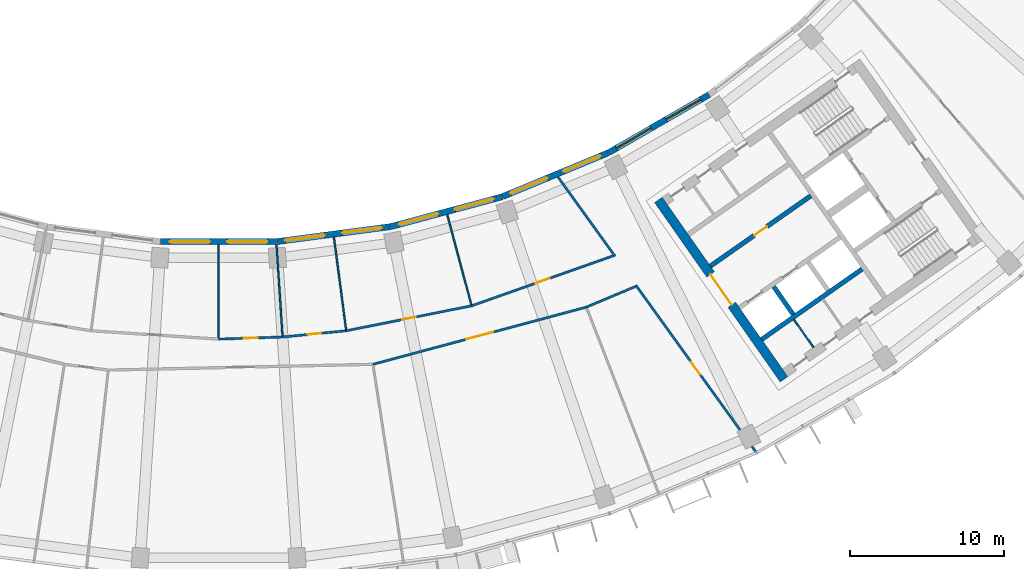
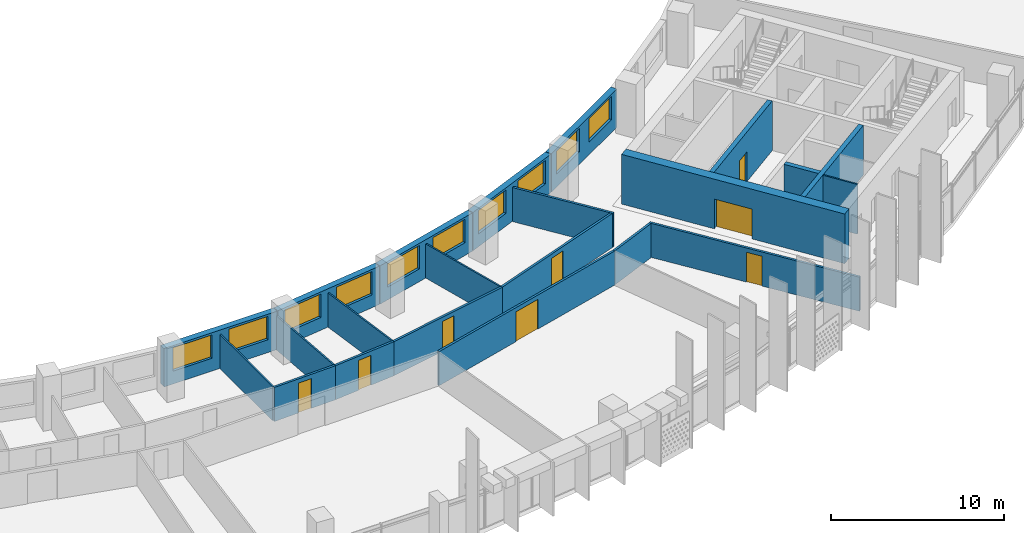
# One storey, part 6 of 27: 22 walls, 10 windows, 8 doors, 18 openings.
"""IFC4 building model written with IfcOpenShell, lengths in metres."""

from ifc_helpers import new_model, si_unit, direction, frame, frame_2d, origin, place, context, subcontext, project, spatial, rectangle, extrude, material, layer, layer_set, type_object, element, fill, save


model = new_model("IFC4")

# Units and contexts
model_context = context("Model", 3, precision=1e-05, world=origin(), true_north=direction((0.0, 1.0)))
body_context = subcontext(model_context, "Body", "Model", "MODEL_VIEW")
ifc_project = project(units=[si_unit("LENGTHUNIT", "METRE"), si_unit("AREAUNIT", "SQUARE_METRE"), si_unit("VOLUMEUNIT", "CUBIC_METRE"), si_unit("PLANEANGLEUNIT", "RADIAN"), si_unit("MASSUNIT", "GRAM", prefix="KILO")], contexts=[model_context])

# Site, building, storey
site_placement = place(None, origin())
site = spatial("IfcSite", under=ifc_project, at=site_placement, CompositionType="ELEMENT")
building_placement = place(site_placement, origin())
building = spatial("IfcBuilding", under=site, at=building_placement, Name="Qamariyya Broadcast Tower", CompositionType="ELEMENT")
storey_placement = place(building_placement, frame((0.0, 0.0, 179.699951171875)))
storey = spatial("IfcBuildingStorey", under=building, at=storey_placement, Name="L42", CompositionType="ELEMENT", Elevation=179.699951171875)

# Wall, opening, door
ifc_material_1 = material(Name="Concrete C60/75", Category="concrete")
ifc_layer_1 = layer(ifc_material_1, 0.60009765625)
ifc_layer_set_1 = layer_set([ifc_layer_1], Name="Core wall 600 mm Concrete C60/75")
wall_type_1 = type_object("IfcWallType", Name="Core wall 600 mm Concrete C60/75", PredefinedType="SHEAR", material=ifc_layer_set_1)
wall_1_placement = place(storey_placement, frame((36.66748046875, -66.005126953125, 0.0), z_axis=(0.0, 0.0, 1.0), x_axis=(-0.573568499524, 0.819157601658, 0.0)))
wall_1 = element("IfcWall", 1, at=wall_1_placement, inside=storey, type_object=wall_type_1, Name="k-E-L42-WA", PredefinedType="SHEAR", context=body_context, shape_type="SweptSolid", body=[
    extrude(rectangle(XDim=14.19970703125, YDim=0.60009765625, at=frame_2d((7.099853515625, 0.0))), origin(), (0.0, 0.0, 1.0), 3.5),
])
opening_1_placement = place(wall_1_placement, frame((5.89990234375, 0.0, 0.0)))
opening_1 = element("IfcOpeningElement", 2, at=opening_1_placement, cuts=wall_1, Name="Opening KD3-E1", PredefinedType="OPENING", context=body_context, shape_type="SweptSolid", body=[
    extrude(rectangle(XDim=2.39990234375, YDim=2.10009765625, at=frame_2d((1.199951171875, 1.050048828125))), frame((0.0, 0.31005859375, 0.0), z_axis=(0.0, -1.0, 0.0), x_axis=(1.0, 0.0, 0.0)), (0.0, 0.0, 1.0), 0.6201171875),
])
ifc_material_2 = material(Name="Steel fire-resisting door leaf", Category="steel")
door_type_1 = type_object("IfcDoorType", Name="Lift lobby door KD3", OperationType="DOUBLE_DOOR_SINGLE_SWING", PredefinedType="DOOR", material=ifc_material_2)
door_1_placement = place(opening_1_placement, origin())
door_1 = element("IfcDoor", 3, at=door_1_placement, inside=storey, type_object=door_type_1, Name="k-E-L42-WA-D1", OperationType="DOUBLE_DOOR_SINGLE_SWING", OverallHeight=2.10009765625, OverallWidth=2.39990234375, PredefinedType="DOOR", context=body_context, shape_type="SweptSolid", body=[
    extrude(rectangle(XDim=2.39990234375, YDim=2.10009765625, at=frame_2d((1.199951171875, 1.050048828125))), frame((0.0, 0.02490234375, 0.0), z_axis=(0.0, -1.0, 0.0), x_axis=(1.0, 0.0, 0.0)), (0.0, 0.0, 1.0), 0.050048828125),
])
fill(opening_1, door_1)

ifc_material_3 = material(Name="Gypsum board partition")
ifc_layer_2 = layer(ifc_material_3, 0.14990234375)
ifc_layer_set_2 = layer_set([ifc_layer_2], Name="Corridor partition 150 EI 60")
wall_type_2 = type_object("IfcWallType", Name="Corridor partition 150 EI 60", PredefinedType="PARTITIONING", material=ifc_layer_set_2)
wall_2_placement = place(storey_placement, frame((0.0, -63.39990234375, 0.0), z_axis=(0.0, 0.0, 1.0), x_axis=(0.999464584765, 0.032719165634, 0.0)))
wall_2 = element("IfcWall", 4, at=wall_2_placement, inside=storey, type_object=wall_type_2, Name="Partition L42-018", PredefinedType="PARTITIONING", context=body_context, shape_type="SweptSolid", body=[
    extrude(rectangle(XDim=4.148681640625, YDim=0.14990234375, at=frame_2d((2.07421875, 0.0))), origin(), (0.0, 0.0, 1.0), 2.400146484375),
])
opening_2_placement = place(wall_2_placement, frame((1.62451171875, 0.0, 0.0)))
opening_2 = element("IfcOpeningElement", 5, at=opening_2_placement, cuts=wall_2, Name="Opening L42-D11", PredefinedType="OPENING", context=body_context, shape_type="SweptSolid", body=[
    extrude(rectangle(XDim=0.89990234375, YDim=2.10009765625, at=frame_2d((0.449951171875, 1.050048828125))), frame((0.0, 0.0849609375, 0.0), z_axis=(0.0, -1.0, 0.0), x_axis=(1.0, 0.0, 0.0)), (0.0, 0.0, 1.0), 0.169921875),
])
ifc_material_4 = material(Name="Timber fire door leaf", Category="wood")
door_type_2 = type_object("IfcDoorType", Name="Fire door 900 x 2100 FD60", OperationType="NOTDEFINED", PredefinedType="DOOR", material=ifc_material_4)
door_2_placement = place(opening_2_placement, origin())
door_2 = element("IfcDoor", 6, at=door_2_placement, inside=storey, type_object=door_type_2, Name="Door L42-D11", OperationType="SINGLE_SWING_RIGHT", OverallHeight=2.10009765625, OverallWidth=0.89990234375, PredefinedType="DOOR", context=body_context, shape_type="SweptSolid", body=[
    extrude(rectangle(XDim=0.89990234375, YDim=2.10009765625, at=frame_2d((0.449951171875, 1.050048828125))), frame((0.0, 0.02490234375, 0.0), z_axis=(0.0, -1.0, 0.0), x_axis=(1.0, 0.0, 0.0)), (0.0, 0.0, 1.0), 0.050048828125),
])
fill(opening_2, door_2)

wall_3_placement = place(storey_placement, frame((4.146484375, -63.26416015625, 0.0), z_axis=(0.0, 0.0, 1.0), x_axis=(0.995188667069, 0.097977124567, 0.0)))
wall_3 = element("IfcWall", 7, at=wall_3_placement, inside=storey, type_object=wall_type_2, Name="Partition L42-021", PredefinedType="PARTITIONING", context=body_context, shape_type="SweptSolid", body=[
    extrude(rectangle(XDim=4.14892578125, YDim=0.14990234375, at=frame_2d((2.074462890625, 0.0))), origin(), (0.0, 0.0, 1.0), 2.400146484375),
])
opening_3_placement = place(wall_3_placement, frame((1.62451171875, 0.0, 0.0)))
opening_3 = element("IfcOpeningElement", 8, at=opening_3_placement, cuts=wall_3, Name="Opening L42-D12", PredefinedType="OPENING", context=body_context, shape_type="SweptSolid", body=[
    extrude(rectangle(XDim=0.89990234375, YDim=2.10009765625, at=frame_2d((0.449951171875, 1.050048828125))), frame((0.0, 0.0849609375, 0.0), z_axis=(0.0, -1.0, 0.0), x_axis=(1.0, 0.0, 0.0)), (0.0, 0.0, 1.0), 0.169921875),
])
door_3_placement = place(opening_3_placement, origin())
door_3 = element("IfcDoor", 9, at=door_3_placement, inside=storey, type_object=door_type_2, Name="Door L42-D12", OperationType="SINGLE_SWING_RIGHT", OverallHeight=2.10009765625, OverallWidth=0.89990234375, PredefinedType="DOOR", context=body_context, shape_type="SweptSolid", body=[
    extrude(rectangle(XDim=0.89990234375, YDim=2.10009765625, at=frame_2d((0.449951171875, 1.050048828125))), frame((0.0, 0.02490234375, 0.0), z_axis=(0.0, -1.0, 0.0), x_axis=(1.0, 0.0, 0.0)), (0.0, 0.0, 1.0), 0.050048828125),
])
fill(opening_3, door_3)

wall_4_placement = place(storey_placement, frame((8.275390625, -62.857666015625, 0.0), z_axis=(0.0, 0.0, 1.0), x_axis=(0.98078508005, 0.195091329256, 0.0)))
wall_4 = element("IfcWall", 10, at=wall_4_placement, inside=storey, type_object=wall_type_2, Name="Partition L42-023", PredefinedType="PARTITIONING", context=body_context, shape_type="SweptSolid", body=[
    extrude(rectangle(XDim=8.293212890625, YDim=0.14990234375, at=frame_2d((4.146484375, 0.0))), origin(), (0.0, 0.0, 1.0), 2.400146484375),
])
opening_4_placement = place(wall_4_placement, frame((3.696533203125, 0.0, 0.0)))
opening_4 = element("IfcOpeningElement", 11, at=opening_4_placement, cuts=wall_4, Name="Opening L42-D13", PredefinedType="OPENING", context=body_context, shape_type="SweptSolid", body=[
    extrude(rectangle(XDim=0.89990234375, YDim=2.10009765625, at=frame_2d((0.449951171875, 1.050048828125))), frame((0.0, 0.0849609375, 0.0), z_axis=(0.0, -1.0, 0.0), x_axis=(1.0, 0.0, 0.0)), (0.0, 0.0, 1.0), 0.169921875),
])
door_4_placement = place(opening_4_placement, origin())
door_4 = element("IfcDoor", 12, at=door_4_placement, inside=storey, type_object=door_type_2, Name="Door L42-D13", OperationType="SINGLE_SWING_RIGHT", OverallHeight=2.10009765625, OverallWidth=0.89990234375, PredefinedType="DOOR", context=body_context, shape_type="SweptSolid", body=[
    extrude(rectangle(XDim=0.89990234375, YDim=2.10009765625, at=frame_2d((0.449951171875, 1.050048828125))), frame((0.0, 0.02490234375, 0.0), z_axis=(0.0, -1.0, 0.0), x_axis=(1.0, 0.0, 0.0)), (0.0, 0.0, 1.0), 0.050048828125),
])
fill(opening_4, door_4)

wall_5_placement = place(storey_placement, frame((23.8466796875, -61.32666015625, 0.0), z_axis=(0.0, 0.0, 1.0), x_axis=(-0.965923323977, -0.258828383677, 0.0)))
wall_5 = element("IfcWall", 13, at=wall_5_placement, inside=storey, type_object=wall_type_2, Name="Partition L42-024", PredefinedType="PARTITIONING", context=body_context, shape_type="SweptSolid", body=[
    extrude(rectangle(XDim=14.3232421875, YDim=0.14990234375, at=frame_2d((7.16162109375, 0.0))), origin(), (0.0, 0.0, 1.0), 2.400146484375),
])
opening_5_placement = place(wall_5_placement, frame((6.26171875, 0.0, 0.0)))
opening_5 = element("IfcOpeningElement", 14, at=opening_5_placement, cuts=wall_5, Name="Opening L42-D05", PredefinedType="OPENING", context=body_context, shape_type="SweptSolid", body=[
    extrude(rectangle(XDim=1.800048828125, YDim=2.10009765625, at=frame_2d((0.89990234375, 1.050048828125))), frame((0.0, 0.0849609375, 0.0), z_axis=(0.0, -1.0, 0.0), x_axis=(1.0, 0.0, 0.0)), (0.0, 0.0, 1.0), 0.169921875),
])
door_type_3 = type_object("IfcDoorType", Name="Double fire door 1800 x 2100 FD60", OperationType="NOTDEFINED", PredefinedType="DOOR", material=ifc_material_4)
door_5_placement = place(opening_5_placement, origin())
door_5 = element("IfcDoor", 15, at=door_5_placement, inside=storey, type_object=door_type_3, Name="Door L42-D05", OperationType="DOUBLE_DOOR_SINGLE_SWING", OverallHeight=2.10009765625, OverallWidth=1.800048828125, PredefinedType="DOOR", context=body_context, shape_type="SweptSolid", body=[
    extrude(rectangle(XDim=1.800048828125, YDim=2.10009765625, at=frame_2d((0.89990234375, 1.050048828125))), frame((0.0, 0.02490234375, 0.0), z_axis=(0.0, -1.0, 0.0), x_axis=(1.0, 0.0, 0.0)), (0.0, 0.0, 1.0), 0.050048828125),
])
fill(opening_5, door_5)

wall_6_placement = place(storey_placement, frame((16.4091796875, -61.23974609375, 0.0), z_axis=(0.0, 0.0, 1.0), x_axis=(0.942977382292, 0.332856810785, 0.0)))
wall_6 = element("IfcWall", 16, at=wall_6_placement, inside=storey, type_object=wall_type_2, Name="Partition L42-027", PredefinedType="PARTITIONING", context=body_context, shape_type="SweptSolid", body=[
    extrude(rectangle(XDim=9.744873046875, YDim=0.14990234375, at=frame_2d((4.87255859375, 0.0))), origin(), (0.0, 0.0, 1.0), 2.400146484375),
])
opening_6_placement = place(wall_6_placement, frame((4.37255859375, 0.0, 0.0)))
opening_6 = element("IfcOpeningElement", 17, at=opening_6_placement, cuts=wall_6, Name="Opening L42-D14", PredefinedType="OPENING", context=body_context, shape_type="SweptSolid", body=[
    extrude(rectangle(XDim=1.0, YDim=2.10009765625, at=frame_2d((0.5, 1.050048828125))), frame((0.0, 0.0849609375, 0.0), z_axis=(0.0, -1.0, 0.0), x_axis=(1.0, 0.0, 0.0)), (0.0, 0.0, 1.0), 0.169921875),
])
door_type_4 = type_object("IfcDoorType", Name="Fire door 1000 x 2100 FD60", OperationType="NOTDEFINED", PredefinedType="DOOR", material=ifc_material_4)
door_6_placement = place(opening_6_placement, origin())
door_6 = element("IfcDoor", 18, at=door_6_placement, inside=storey, type_object=door_type_4, Name="Door L42-D14", OperationType="SINGLE_SWING_RIGHT", OverallHeight=2.10009765625, OverallWidth=1.0, PredefinedType="DOOR", context=body_context, shape_type="SweptSolid", body=[
    extrude(rectangle(XDim=1.0, YDim=2.10009765625, at=frame_2d((0.5, 1.050048828125))), frame((0.0, 0.02490234375, 0.0), z_axis=(0.0, -1.0, 0.0), x_axis=(1.0, 0.0, 0.0)), (0.0, 0.0, 1.0), 0.050048828125),
])
fill(opening_6, door_6)

# Walls
wall_7_placement = place(storey_placement, frame((22.0, -52.873046875, 0.0), z_axis=(0.0, 0.0, 1.0), x_axis=(0.58417014289, -0.811631224236, 0.0)))
element("IfcWall", 19, at=wall_7_placement, inside=storey, type_object=wall_type_2, Name="Partition L42-028", PredefinedType="PARTITIONING", context=body_context, shape_type="SweptSolid", body=[
    extrude(rectangle(XDim=6.356201171875, YDim=0.14990234375, at=frame_2d((3.17822265625, 0.0))), origin(), (0.0, 0.0, 1.0), 2.400146484375),
])
wall_8_placement = place(storey_placement, frame((23.8466796875, -61.32666015625, 0.0), z_axis=(0.0, 0.0, 1.0), x_axis=(0.921979582273, 0.38723849224, 0.0)))
element("IfcWall", 20, at=wall_8_placement, inside=storey, type_object=wall_type_2, Name="Partition L42-029", PredefinedType="PARTITIONING", context=body_context, shape_type="SweptSolid", body=[
    extrude(rectangle(XDim=3.454345703125, YDim=0.14990234375, at=frame_2d((1.72705078125, 0.0))), origin(), (0.0, 0.0, 1.0), 2.400146484375),
])

# Wall, opening, door
wall_9_placement = place(storey_placement, frame((34.823974609375, -70.690673828125, 0.0), z_axis=(0.0, 0.0, 1.0), x_axis=(-0.584166374063, 0.81163393683, 0.0)))
wall_9 = element("IfcWall", 21, at=wall_9_placement, inside=storey, type_object=wall_type_2, Name="Partition L42-030", PredefinedType="PARTITIONING", context=body_context, shape_type="SweptSolid", body=[
    extrude(rectangle(XDim=13.296142578125, YDim=0.14990234375, at=frame_2d((6.64794921875, 0.0))), origin(), (0.0, 0.0, 1.0), 2.400146484375),
])
opening_7_placement = place(wall_9_placement, frame((6.14794921875, 0.0, 0.0)))
opening_7 = element("IfcOpeningElement", 22, at=opening_7_placement, cuts=wall_9, Name="Opening L42-D06", PredefinedType="OPENING", context=body_context, shape_type="SweptSolid", body=[
    extrude(rectangle(XDim=1.0, YDim=2.10009765625, at=frame_2d((0.5, 1.050048828125))), frame((0.0, 0.0849609375, 0.0), z_axis=(0.0, -1.0, 0.0), x_axis=(1.0, 0.0, 0.0)), (0.0, 0.0, 1.0), 0.169921875),
])
door_7_placement = place(opening_7_placement, origin())
door_7 = element("IfcDoor", 23, at=door_7_placement, inside=storey, type_object=door_type_4, Name="Door L42-D06", OperationType="SINGLE_SWING_RIGHT", OverallHeight=2.10009765625, OverallWidth=1.0, PredefinedType="DOOR", context=body_context, shape_type="SweptSolid", body=[
    extrude(rectangle(XDim=1.0, YDim=2.10009765625, at=frame_2d((0.5, 1.050048828125))), frame((0.0, 0.02490234375, 0.0), z_axis=(0.0, -1.0, 0.0), x_axis=(1.0, 0.0, 0.0)), (0.0, 0.0, 1.0), 0.050048828125),
])
fill(opening_7, door_7)

ifc_layer_3 = layer(ifc_material_1, 0.300048828125)
ifc_layer_set_3 = layer_set([ifc_layer_3], Name="Lift shaft wall 300 mm Concrete C60/75")
wall_type_3 = type_object("IfcWallType", Name="Lift shaft wall 300 mm Concrete C60/75", PredefinedType="SOLIDWALL", material=ifc_layer_set_3)
wall_10_placement = place(storey_placement, frame((31.89453125, -58.66552734375, 0.0), z_axis=(0.0, 0.0, 1.0), x_axis=(0.819166993208, 0.573555086491, 0.0)))
wall_10 = element("IfcWall", 24, at=wall_10_placement, inside=storey, type_object=wall_type_3, Name="k-E-L42-NF0", PredefinedType="SOLIDWALL", context=body_context, shape_type="SweptSolid", body=[
    extrude(rectangle(XDim=7.9501953125, YDim=0.300048828125, at=frame_2d((3.97509765625, 0.0))), origin(), (0.0, 0.0, 1.0), 3.5),
])
opening_8_placement = place(wall_10_placement, frame((3.47509765625, 0.0, 0.0)))
opening_8 = element("IfcOpeningElement", 25, at=opening_8_placement, cuts=wall_10, Name="Opening KD6-E1", PredefinedType="OPENING", context=body_context, shape_type="SweptSolid", body=[
    extrude(rectangle(XDim=1.0, YDim=2.10009765625, at=frame_2d((0.5, 1.050048828125))), frame((0.0, 0.159912109375, 0.0), z_axis=(0.0, -1.0, 0.0), x_axis=(1.0, 0.0, 0.0)), (0.0, 0.0, 1.0), 0.320068359375),
])
door_type_5 = type_object("IfcDoorType", Name="Core room door KD6", OperationType="SINGLE_SWING_LEFT", PredefinedType="DOOR", material=ifc_material_2)
door_8_placement = place(opening_8_placement, origin())
door_8 = element("IfcDoor", 26, at=door_8_placement, inside=storey, type_object=door_type_5, Name="k-E-L42-NF0-D2", OperationType="SINGLE_SWING_RIGHT", OverallHeight=2.10009765625, OverallWidth=1.0, PredefinedType="DOOR", context=body_context, shape_type="SweptSolid", body=[
    extrude(rectangle(XDim=1.0, YDim=2.10009765625, at=frame_2d((0.5, 1.050048828125))), frame((0.0, 0.02490234375, 0.0), z_axis=(0.0, -1.0, 0.0), x_axis=(1.0, 0.0, 0.0)), (0.0, 0.0, 1.0), 0.050048828125),
])
fill(opening_8, door_8)

# Walls
wall_11_placement = place(storey_placement, frame((35.22119140625, -63.41650390625, 0.0), z_axis=(0.0, 0.0, 1.0), x_axis=(0.819166993208, 0.573555086491, 0.0)))
element("IfcWall", 27, at=wall_11_placement, inside=storey, type_object=wall_type_3, Name="k-E-L42-SB0", PredefinedType="SOLIDWALL", context=body_context, shape_type="SweptSolid", body=[
    extrude(rectangle(XDim=7.9501953125, YDim=0.300048828125, at=frame_2d((3.97509765625, 0.0))), origin(), (0.0, 0.0, 1.0), 3.5),
])
wall_12_placement = place(storey_placement, frame((36.003173828125, -60.000244140625, 0.0), z_axis=(0.0, 0.0, 1.0), x_axis=(0.573581496053, -0.819148501424, 0.0)))
element("IfcWall", 28, at=wall_12_placement, inside=storey, type_object=wall_type_3, Name="k-E-L42-SD0", PredefinedType="SOLIDWALL", context=body_context, shape_type="SweptSolid", body=[
    extrude(rectangle(XDim=2.2001953125, YDim=0.300048828125, at=frame_2d((1.10009765625, 0.0))), origin(), (0.0, 0.0, 1.0), 3.5),
])
ifc_layer_4 = layer(ifc_material_3, 0.10009765625)
ifc_layer_set_4 = layer_set([ifc_layer_4], Name="Partition 100")
wall_type_4 = type_object("IfcWallType", Name="Partition 100", PredefinedType="PARTITIONING", material=ifc_layer_set_4)
wall_13_placement = place(storey_placement, frame((0.0, -57.278076171875, 0.0), z_axis=(0.0, 0.0, 1.0), x_axis=(0.0, -1.0, 0.0)))
element("IfcWall", 29, at=wall_13_placement, inside=storey, type_object=wall_type_4, Name="Partition L42-019", PredefinedType="PARTITIONING", context=body_context, shape_type="SweptSolid", body=[
    extrude(rectangle(XDim=6.046875, YDim=0.10009765625, at=frame_2d((3.0234375, 0.0))), origin(), (0.0, 0.0, 1.0), 2.400146484375),
])
wall_14_placement = place(storey_placement, frame((3.754150390625, -57.277099609375, 0.0), z_axis=(0.0, 0.0, 1.0), x_axis=(0.065392214001, -0.997859638601, 0.0)))
element("IfcWall", 30, at=wall_14_placement, inside=storey, type_object=wall_type_4, Name="Partition L42-020", PredefinedType="PARTITIONING", context=body_context, shape_type="SweptSolid", body=[
    extrude(rectangle(XDim=5.925048828125, YDim=0.10009765625, at=frame_2d((2.96240234375, 0.0))), origin(), (0.0, 0.0, 1.0), 2.400146484375),
])
for number, where, z_axis, x_axis, name in (
    (31, (7.476318359375, -56.787841796875, 0.0), (0.0, 0.0, 1.0), (0.130526573864, -0.991444811129, 0.0), "Partition L42-022"),
    (32, (14.82470703125, -55.326171875, 0.0), (0.0, 0.0, 1.0), (0.258793263352, -0.965932734119, 0.0), "Partition L42-026"),
):
    element("IfcWall", number, at=place(storey_placement, frame(where, z_axis=z_axis, x_axis=x_axis)), inside=storey, type_object=wall_type_4, Name=name, PredefinedType="PARTITIONING", context=body_context, shape_type="SweptSolid", body=[
        extrude(rectangle(XDim=6.047119140625, YDim=0.10009765625, at=frame_2d((3.0234375, 0.0))), origin(), (0.0, 0.0, 1.0), 2.400146484375),
    ])
ifc_material_5 = material(Name="Fire-rated gypsum shaft liner on steel studs", Category="steel")
ifc_layer_5 = layer(ifc_material_5, 0.10009765625)
ifc_layer_set_5 = layer_set([ifc_layer_5], Name="Riser wall 100 mm")
wall_type_5 = type_object("IfcWallType", Name="Riser wall 100 mm", PredefinedType="PLUMBINGWALL", material=ifc_layer_set_5)
wall_15_placement = place(storey_placement, frame((37.314208984375, -62.13427734375, 0.0), z_axis=(0.0, 0.0, 1.0), x_axis=(0.573633636671, -0.819111989218, 0.0)))
element("IfcWall", 33, at=wall_15_placement, inside=storey, type_object=wall_type_5, Name="k-E-L42-SP245", PredefinedType="PLUMBINGWALL", context=body_context, shape_type="SweptSolid", body=[
    extrude(rectangle(XDim=2.199951171875, YDim=0.10009765625, at=frame_2d((1.10009765625, 0.0))), origin(), (0.0, 0.0, 1.0), 3.5),
])

# Wall, openings, windows
ifc_material_6 = material(Name="Terracotta", Category="masonry")
ifc_layer_6 = layer(ifc_material_6, 0.39990234375)
ifc_layer_set_6 = layer_set([ifc_layer_6], Name="Terracotta clad wall 400")
wall_type_6 = type_object("IfcWallType", Name="Terracotta clad wall 400", PredefinedType="SOLIDWALL", material=ifc_layer_set_6)
wall_16_placement = place(storey_placement, frame((25.252197265625, -51.32080078125, 0.0), z_axis=(0.0, 0.0, 1.0), x_axis=(-0.923867659443, -0.382712095229, 0.0)))
wall_16 = element("IfcWall", 34, at=wall_16_placement, inside=storey, type_object=wall_type_6, Name="e-wl-L42-in100", PredefinedType="SOLIDWALL", context=body_context, shape_type="SweptSolid", body=[
    extrude(rectangle(XDim=7.380859375, YDim=0.39990234375, at=frame_2d((3.6904296875, 0.0))), origin(), (0.0, 0.0, 1.0), 2.699951171875),
])
opening_9_placement = place(wall_16_placement, frame((4.25439453125, 0.0, 0.89990234375)))
opening_9 = element("IfcOpeningElement", 35, at=opening_9_placement, cuts=wall_16, Name="Opening W1", PredefinedType="OPENING", context=body_context, shape_type="SweptSolid", body=[
    extrude(rectangle(XDim=2.60009765625, YDim=1.64990234375, at=frame_2d((1.300048828125, 0.824951171875))), frame((0.0, 0.2099609375, 0.0), z_axis=(0.0, -1.0, 0.0), x_axis=(1.0, 0.0, 0.0)), (0.0, 0.0, 1.0), 0.419921875),
])
opening_10_placement = place(wall_16_placement, frame((0.5263671875, 0.0, 0.89990234375)))
opening_10 = element("IfcOpeningElement", 36, at=opening_10_placement, cuts=wall_16, Name="Opening W1", PredefinedType="OPENING", context=body_context, shape_type="SweptSolid", body=[
    extrude(rectangle(XDim=2.60009765625, YDim=1.64990234375, at=frame_2d((1.300048828125, 0.824951171875))), frame((0.0, 0.2099609375, 0.0), z_axis=(0.0, -1.0, 0.0), x_axis=(1.0, 0.0, 0.0)), (0.0, 0.0, 1.0), 0.419921875),
])
ifc_material_7 = material(Name="Clear low-e double glazed unit in aluminium frame", Category="aluminium")
window_type = type_object("IfcWindowType", Name="Ribbon window 2600 x 1650", PartitioningType="SINGLE_PANEL", PredefinedType="WINDOW", material=ifc_material_7)
window_1_placement = place(opening_9_placement, origin())
window_1 = element("IfcWindow", 37, at=window_1_placement, inside=storey, type_object=window_type, Name="e-w-L42-in10-0", OverallHeight=1.64990234375, OverallWidth=2.60009765625, PartitioningType="SINGLE_PANEL", PredefinedType="WINDOW", context=body_context, shape_type="SweptSolid", body=[
    extrude(rectangle(XDim=2.60009765625, YDim=1.64990234375, at=frame_2d((1.300048828125, 0.824951171875))), frame((0.0, 0.030029296875, 0.0), z_axis=(0.0, -1.0, 0.0), x_axis=(1.0, 0.0, 0.0)), (0.0, 0.0, 1.0), 0.06005859375),
])
fill(opening_9, window_1)
window_2_placement = place(opening_10_placement, origin())
window_2 = element("IfcWindow", 38, at=window_2_placement, inside=storey, type_object=window_type, Name="e-w-L42-in10-1", OverallHeight=1.64990234375, OverallWidth=2.60009765625, PartitioningType="SINGLE_PANEL", PredefinedType="WINDOW", context=body_context, shape_type="SweptSolid", body=[
    extrude(rectangle(XDim=2.60009765625, YDim=1.64990234375, at=frame_2d((1.300048828125, 0.824951171875))), frame((0.0, 0.030029296875, 0.0), z_axis=(0.0, -1.0, 0.0), x_axis=(1.0, 0.0, 0.0)), (0.0, 0.0, 1.0), 0.06005859375),
])
fill(opening_10, window_2)

wall_17_placement = place(storey_placement, frame((31.800537109375, -47.5478515625, 0.0), z_axis=(0.0, 0.0, 1.0), x_axis=(-0.866028517328, -0.499994607145, 0.0)))
wall_17 = element("IfcWall", 39, at=wall_17_placement, inside=storey, type_object=wall_type_6, Name="e-wl-L42-in110", PredefinedType="SOLIDWALL", context=body_context, shape_type="SweptSolid", body=[
    extrude(rectangle(XDim=7.5322265625, YDim=0.39990234375, at=frame_2d((3.76611328125, 0.0))), origin(), (0.0, 0.0, 1.0), 2.699951171875),
])
opening_11_placement = place(wall_17_placement, frame((4.330078125, 0.0, 0.89990234375)))
opening_11 = element("IfcOpeningElement", 40, at=opening_11_placement, cuts=wall_17, Name="Opening W1", PredefinedType="OPENING", context=body_context, shape_type="SweptSolid", body=[
    extrude(rectangle(XDim=2.60009765625, YDim=1.64990234375, at=frame_2d((1.300048828125, 0.824951171875))), frame((0.0, 0.2099609375, 0.0), z_axis=(0.0, -1.0, 0.0), x_axis=(1.0, 0.0, 0.0)), (0.0, 0.0, 1.0), 0.419921875),
])
opening_12_placement = place(wall_17_placement, frame((0.60205078125, 0.0, 0.89990234375)))
opening_12 = element("IfcOpeningElement", 41, at=opening_12_placement, cuts=wall_17, Name="Opening W1", PredefinedType="OPENING", context=body_context, shape_type="SweptSolid", body=[
    extrude(rectangle(XDim=2.60009765625, YDim=1.64990234375, at=frame_2d((1.300048828125, 0.824951171875))), frame((0.0, 0.2099609375, 0.0), z_axis=(0.0, -1.0, 0.0), x_axis=(1.0, 0.0, 0.0)), (0.0, 0.0, 1.0), 0.419921875),
])
window_3_placement = place(opening_11_placement, origin())
window_3 = element("IfcWindow", 42, at=window_3_placement, inside=storey, type_object=window_type, Name="e-w-L42-in11-0", OverallHeight=1.64990234375, OverallWidth=2.60009765625, PartitioningType="SINGLE_PANEL", PredefinedType="WINDOW", context=body_context, shape_type="SweptSolid", body=[
    extrude(rectangle(XDim=2.60009765625, YDim=1.64990234375, at=frame_2d((1.300048828125, 0.824951171875))), frame((0.0, 0.030029296875, 0.0), z_axis=(0.0, -1.0, 0.0), x_axis=(1.0, 0.0, 0.0)), (0.0, 0.0, 1.0), 0.06005859375),
])
fill(opening_11, window_3)
window_4_placement = place(opening_12_placement, origin())
window_4 = element("IfcWindow", 43, at=window_4_placement, inside=storey, type_object=window_type, Name="e-w-L42-in11-1", OverallHeight=1.64990234375, OverallWidth=2.60009765625, PartitioningType="SINGLE_PANEL", PredefinedType="WINDOW", context=body_context, shape_type="SweptSolid", body=[
    extrude(rectangle(XDim=2.60009765625, YDim=1.64990234375, at=frame_2d((1.300048828125, 0.824951171875))), frame((0.0, 0.030029296875, 0.0), z_axis=(0.0, -1.0, 0.0), x_axis=(1.0, 0.0, 0.0)), (0.0, 0.0, 1.0), 0.06005859375),
])
fill(opening_12, window_4)

wall_18_placement = place(storey_placement, frame((3.76611328125, -57.077880859375, 0.0), z_axis=(0.0, 0.0, 1.0), x_axis=(-1.0, 0.0, 0.0)))
wall_18 = element("IfcWall", 44, at=wall_18_placement, inside=storey, type_object=wall_type_6, Name="e-wl-L42-in70", PredefinedType="SOLIDWALL", context=body_context, shape_type="SweptSolid", body=[
    extrude(rectangle(XDim=7.5322265625, YDim=0.39990234375, at=frame_2d((3.76611328125, 0.0))), origin(), (0.0, 0.0, 1.0), 2.699951171875),
])
opening_13_placement = place(wall_18_placement, frame((4.330078125, 0.0, 0.89990234375)))
opening_13 = element("IfcOpeningElement", 45, at=opening_13_placement, cuts=wall_18, Name="Opening W1", PredefinedType="OPENING", context=body_context, shape_type="SweptSolid", body=[
    extrude(rectangle(XDim=2.60009765625, YDim=1.64990234375, at=frame_2d((1.300048828125, 0.824951171875))), frame((0.0, 0.2099609375, 0.0), z_axis=(0.0, -1.0, 0.0), x_axis=(1.0, 0.0, 0.0)), (0.0, 0.0, 1.0), 0.419921875),
])
opening_14_placement = place(wall_18_placement, frame((0.60205078125, 0.0, 0.89990234375)))
opening_14 = element("IfcOpeningElement", 46, at=opening_14_placement, cuts=wall_18, Name="Opening W1", PredefinedType="OPENING", context=body_context, shape_type="SweptSolid", body=[
    extrude(rectangle(XDim=2.60009765625, YDim=1.64990234375, at=frame_2d((1.300048828125, 0.824951171875))), frame((0.0, 0.2099609375, 0.0), z_axis=(0.0, -1.0, 0.0), x_axis=(1.0, 0.0, 0.0)), (0.0, 0.0, 1.0), 0.419921875),
])
window_5_placement = place(opening_13_placement, origin())
window_5 = element("IfcWindow", 47, at=window_5_placement, inside=storey, type_object=window_type, Name="e-w-L42-in07-0", OverallHeight=1.64990234375, OverallWidth=2.60009765625, PartitioningType="SINGLE_PANEL", PredefinedType="WINDOW", context=body_context, shape_type="SweptSolid", body=[
    extrude(rectangle(XDim=2.60009765625, YDim=1.64990234375, at=frame_2d((1.300048828125, 0.824951171875))), frame((0.0, 0.030029296875, 0.0), z_axis=(0.0, -1.0, 0.0), x_axis=(1.0, 0.0, 0.0)), (0.0, 0.0, 1.0), 0.06005859375),
])
fill(opening_13, window_5)
window_6_placement = place(opening_14_placement, origin())
window_6 = element("IfcWindow", 48, at=window_6_placement, inside=storey, type_object=window_type, Name="e-w-L42-in07-1", OverallHeight=1.64990234375, OverallWidth=2.60009765625, PartitioningType="SINGLE_PANEL", PredefinedType="WINDOW", context=body_context, shape_type="SweptSolid", body=[
    extrude(rectangle(XDim=2.60009765625, YDim=1.64990234375, at=frame_2d((1.300048828125, 0.824951171875))), frame((0.0, 0.030029296875, 0.0), z_axis=(0.0, -1.0, 0.0), x_axis=(1.0, 0.0, 0.0)), (0.0, 0.0, 1.0), 0.06005859375),
])
fill(opening_14, window_6)

wall_19_placement = place(storey_placement, frame((11.10888671875, -56.10791015625, 0.0), z_axis=(0.0, 0.0, 1.0), x_axis=(-0.99144438474, -0.130529812564, 0.0)))
wall_19 = element("IfcWall", 49, at=wall_19_placement, inside=storey, type_object=wall_type_6, Name="e-wl-L42-in80", PredefinedType="SOLIDWALL", context=body_context, shape_type="SweptSolid", body=[
    extrude(rectangle(XDim=7.380615234375, YDim=0.39990234375, at=frame_2d((3.6904296875, 0.0))), origin(), (0.0, 0.0, 1.0), 2.699951171875),
])
opening_15_placement = place(wall_19_placement, frame((4.25439453125, 0.0, 0.89990234375)))
opening_15 = element("IfcOpeningElement", 50, at=opening_15_placement, cuts=wall_19, Name="Opening W1", PredefinedType="OPENING", context=body_context, shape_type="SweptSolid", body=[
    extrude(rectangle(XDim=2.60009765625, YDim=1.64990234375, at=frame_2d((1.300048828125, 0.824951171875))), frame((0.0, 0.2099609375, 0.0), z_axis=(0.0, -1.0, 0.0), x_axis=(1.0, 0.0, 0.0)), (0.0, 0.0, 1.0), 0.419921875),
])
opening_16_placement = place(wall_19_placement, frame((0.5263671875, 0.0, 0.89990234375)))
opening_16 = element("IfcOpeningElement", 51, at=opening_16_placement, cuts=wall_19, Name="Opening W1", PredefinedType="OPENING", context=body_context, shape_type="SweptSolid", body=[
    extrude(rectangle(XDim=2.60009765625, YDim=1.64990234375, at=frame_2d((1.300048828125, 0.824951171875))), frame((0.0, 0.2099609375, 0.0), z_axis=(0.0, -1.0, 0.0), x_axis=(1.0, 0.0, 0.0)), (0.0, 0.0, 1.0), 0.419921875),
])
window_7_placement = place(opening_15_placement, origin())
window_7 = element("IfcWindow", 52, at=window_7_placement, inside=storey, type_object=window_type, Name="e-w-L42-in08-0", OverallHeight=1.64990234375, OverallWidth=2.60009765625, PartitioningType="SINGLE_PANEL", PredefinedType="WINDOW", context=body_context, shape_type="SweptSolid", body=[
    extrude(rectangle(XDim=2.60009765625, YDim=1.64990234375, at=frame_2d((1.300048828125, 0.824951171875))), frame((0.0, 0.030029296875, 0.0), z_axis=(0.0, -1.0, 0.0), x_axis=(1.0, 0.0, 0.0)), (0.0, 0.0, 1.0), 0.06005859375),
])
fill(opening_15, window_7)
window_8_placement = place(opening_16_placement, origin())
window_8 = element("IfcWindow", 53, at=window_8_placement, inside=storey, type_object=window_type, Name="e-w-L42-in08-1", OverallHeight=1.64990234375, OverallWidth=2.60009765625, PartitioningType="SINGLE_PANEL", PredefinedType="WINDOW", context=body_context, shape_type="SweptSolid", body=[
    extrude(rectangle(XDim=2.60009765625, YDim=1.64990234375, at=frame_2d((1.300048828125, 0.824951171875))), frame((0.0, 0.030029296875, 0.0), z_axis=(0.0, -1.0, 0.0), x_axis=(1.0, 0.0, 0.0)), (0.0, 0.0, 1.0), 0.06005859375),
])
fill(opening_16, window_8)

wall_20_placement = place(storey_placement, frame((18.41064453125, -54.158447265625, 0.0), z_axis=(0.0, 0.0, 1.0), x_axis=(-0.965927073219, -0.258814391452, 0.0)))
wall_20 = element("IfcWall", 54, at=wall_20_placement, inside=storey, type_object=wall_type_6, Name="e-wl-L42-in90", PredefinedType="SOLIDWALL", context=body_context, shape_type="SweptSolid", body=[
    extrude(rectangle(XDim=7.5322265625, YDim=0.39990234375, at=frame_2d((3.76611328125, 0.0))), origin(), (0.0, 0.0, 1.0), 2.699951171875),
])
opening_17_placement = place(wall_20_placement, frame((4.330078125, 0.0, 0.89990234375)))
opening_17 = element("IfcOpeningElement", 55, at=opening_17_placement, cuts=wall_20, Name="Opening W1", PredefinedType="OPENING", context=body_context, shape_type="SweptSolid", body=[
    extrude(rectangle(XDim=2.60009765625, YDim=1.64990234375, at=frame_2d((1.300048828125, 0.824951171875))), frame((0.0, 0.2099609375, 0.0), z_axis=(0.0, -1.0, 0.0), x_axis=(1.0, 0.0, 0.0)), (0.0, 0.0, 1.0), 0.419921875),
])
opening_18_placement = place(wall_20_placement, frame((0.60205078125, 0.0, 0.89990234375)))
opening_18 = element("IfcOpeningElement", 56, at=opening_18_placement, cuts=wall_20, Name="Opening W1", PredefinedType="OPENING", context=body_context, shape_type="SweptSolid", body=[
    extrude(rectangle(XDim=2.60009765625, YDim=1.64990234375, at=frame_2d((1.300048828125, 0.824951171875))), frame((0.0, 0.2099609375, 0.0), z_axis=(0.0, -1.0, 0.0), x_axis=(1.0, 0.0, 0.0)), (0.0, 0.0, 1.0), 0.419921875),
])
window_9_placement = place(opening_17_placement, origin())
window_9 = element("IfcWindow", 57, at=window_9_placement, inside=storey, type_object=window_type, Name="e-w-L42-in09-0", OverallHeight=1.64990234375, OverallWidth=2.60009765625, PartitioningType="SINGLE_PANEL", PredefinedType="WINDOW", context=body_context, shape_type="SweptSolid", body=[
    extrude(rectangle(XDim=2.60009765625, YDim=1.64990234375, at=frame_2d((1.300048828125, 0.824951171875))), frame((0.0, 0.030029296875, 0.0), z_axis=(0.0, -1.0, 0.0), x_axis=(1.0, 0.0, 0.0)), (0.0, 0.0, 1.0), 0.06005859375),
])
fill(opening_17, window_9)
window_10_placement = place(opening_18_placement, origin())
window_10 = element("IfcWindow", 58, at=window_10_placement, inside=storey, type_object=window_type, Name="e-w-L42-in09-1", OverallHeight=1.64990234375, OverallWidth=2.60009765625, PartitioningType="SINGLE_PANEL", PredefinedType="WINDOW", context=body_context, shape_type="SweptSolid", body=[
    extrude(rectangle(XDim=2.60009765625, YDim=1.64990234375, at=frame_2d((1.300048828125, 0.824951171875))), frame((0.0, 0.030029296875, 0.0), z_axis=(0.0, -1.0, 0.0), x_axis=(1.0, 0.0, 0.0)), (0.0, 0.0, 1.0), 0.06005859375),
])
fill(opening_18, window_10)

save(model, "model.ifc")
